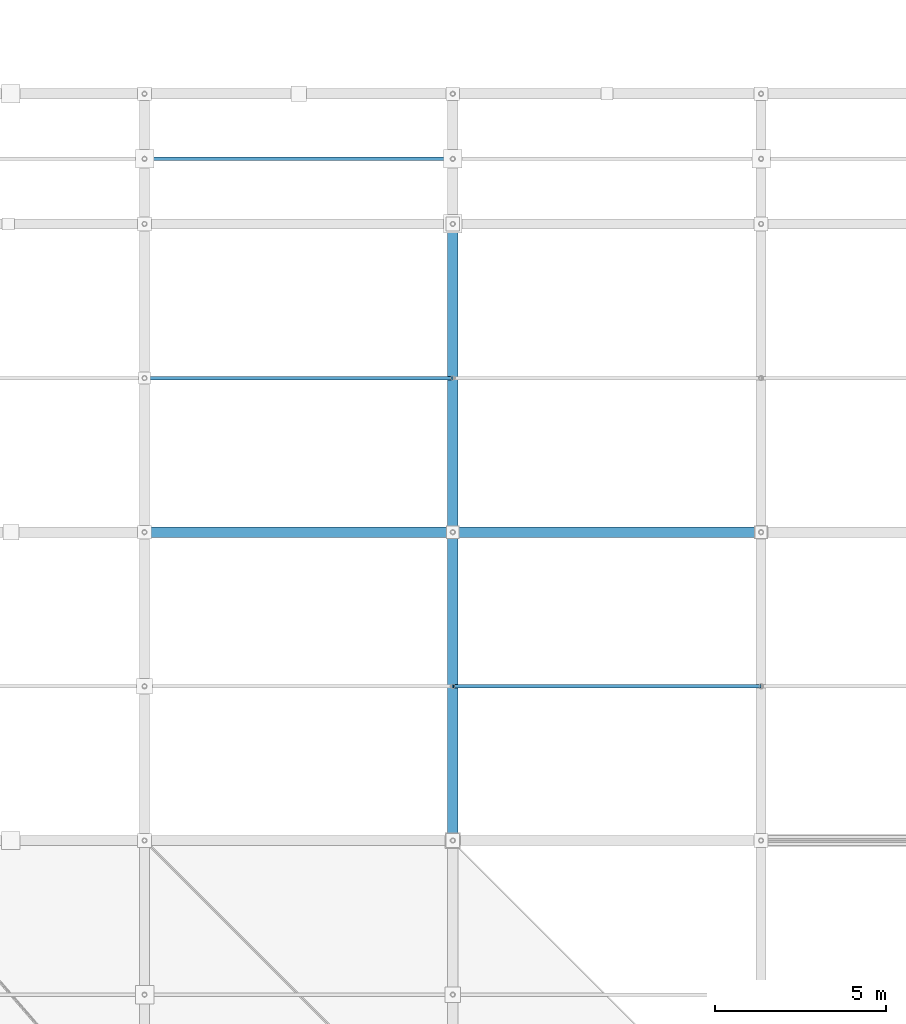
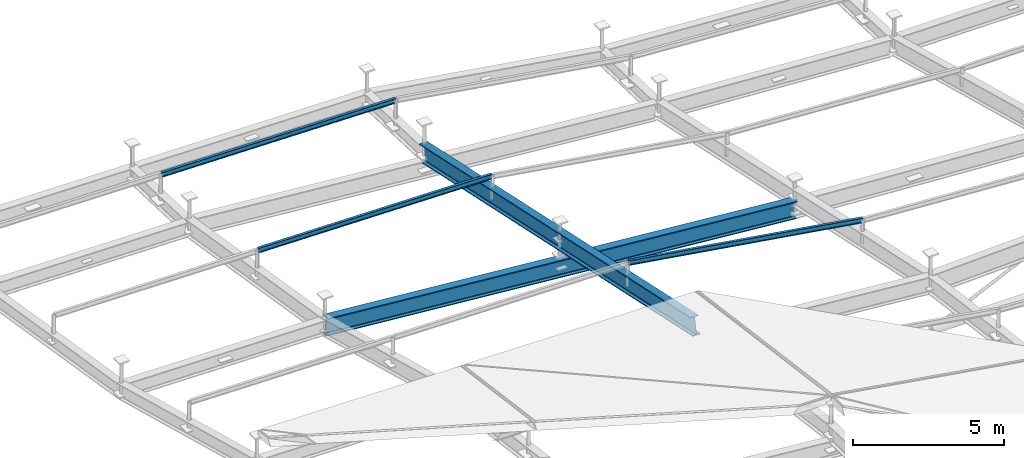
# One storey, part 33 of 80: 3 members, 2 beams.
"""IFC4 building model written with IfcOpenShell, lengths in metres."""

from ifc_helpers import new_model, si_unit, direction, frame, origin, origin_2d, place, context, subcontext, project, spatial, i_section, extrude, material, material_profile, profile_set, type_object, element, save


model = new_model("IFC4")

# Units and contexts
model_context = context("Model", 3, precision=1e-05, world=origin(), true_north=direction((0.0, 1.0)))
body_context = subcontext(model_context, "Body", "Model", "MODEL_VIEW")
ifc_project = project(units=[si_unit("LENGTHUNIT", "METRE"), si_unit("AREAUNIT", "SQUARE_METRE"), si_unit("VOLUMEUNIT", "CUBIC_METRE"), si_unit("PLANEANGLEUNIT", "RADIAN"), si_unit("MASSUNIT", "GRAM", prefix="KILO")], contexts=[model_context])

# Site, building, storey
site_placement = place(None, origin())
site = spatial("IfcSite", under=ifc_project, at=site_placement, CompositionType="ELEMENT")
building_placement = place(site_placement, origin())
building = spatial("IfcBuilding", under=site, at=building_placement, Name="Barlavento Convention Centre", CompositionType="ELEMENT")
storey_placement = place(building_placement, frame((0.0, 0.0, 29.800048828125)))
storey = spatial("IfcBuildingStorey", under=building, at=storey_placement, Name="RF", CompositionType="ELEMENT", Elevation=29.800048828125)

# Beams
ifc_material_1 = material(Name="Steel S460", Category="steel")
ifc_material_profile_1 = material_profile(ifc_material_1, i_section(OverallWidth=0.300048828125, OverallDepth=0.699951171875, WebThickness=0.01708984375, FlangeThickness=0.031982421875, FilletRadius=0.027099609375, at=origin_2d()), Name="HEB 700")
ifc_profile_set_1 = profile_set([ifc_material_profile_1], Name="Steel S460")
beam_type = type_object("IfcBeamType", Name="STR-BM-TRUSS-TOP-HEB700", PredefinedType="BEAM", material=ifc_profile_set_1)
beam_1_placement = place(storey_placement, frame((0.0048828125, 45.0, -3.313232421875), z_axis=(0.996341025885, 0.0, -0.085466719474), x_axis=(0.0, 1.0, 0.0)))
element("IfcBeam", 1, at=beam_1_placement, inside=storey, type_object=beam_type, Name="Congress roof truss space frame chord", PredefinedType="BEAM", context=body_context, shape_type="SweptSolid", body=[
    extrude(i_section(OverallWidth=0.300048828125, OverallDepth=0.699951171875, WebThickness=0.01708984375, FlangeThickness=0.031982421875, FilletRadius=0.027099609375, at=origin_2d()), origin(), (0.0, 0.0, 1.0), 18.056396484375),
])
beam_2_placement = place(storey_placement, frame((9.0, 36.0048828125, -1.029541015625), z_axis=(0.0, 0.977579764601, -0.210565438385), x_axis=(-1.0, 0.0, 0.0)))
element("IfcBeam", 2, at=beam_2_placement, inside=storey, type_object=beam_type, Name="Congress roof truss space frame chord", PredefinedType="BEAM", context=body_context, shape_type="SweptSolid", body=[
    extrude(i_section(OverallWidth=0.300048828125, OverallDepth=0.699951171875, WebThickness=0.01708984375, FlangeThickness=0.031982421875, FilletRadius=0.027099609375, at=origin_2d()), origin(), (0.0, 0.0, 1.0), 18.40283203125),
])

# Members
ifc_material_2 = material(Name="Steel S355", Category="steel")
ifc_material_profile_2 = material_profile(ifc_material_2, i_section(OverallWidth=0.10009765625, OverallDepth=0.199951171875, WebThickness=0.005615234375, FlangeThickness=0.008544921875, FilletRadius=0.011962890625, at=origin_2d()), Name="IPE 200")
ifc_profile_set_2 = profile_set([ifc_material_profile_2], Name="Steel S355")
member_type = type_object("IfcMemberType", Name="STR-MEM-PUR-IPE200", PredefinedType="PURLIN", material=ifc_profile_set_2)
member_placement = place(storey_placement, frame((9.02001953125, 40.5, -1.2001953125), z_axis=(0.987844670797, 0.0, -0.155444222721), x_axis=(0.0, 1.0, 0.0)))
element("IfcMember", 3, at=member_placement, inside=storey, type_object=member_type, Name="Congress roof intermediate purlin PR01", PredefinedType="PURLIN", context=body_context, shape_type="SweptSolid", body=[
    extrude(i_section(OverallWidth=0.10009765625, OverallDepth=0.199951171875, WebThickness=0.005615234375, FlangeThickness=0.008544921875, FilletRadius=0.011962890625, at=origin_2d()), origin(), (0.0, 0.0, 1.0), 9.0703125),
])
for number, where, z_axis, x_axis, name in (
    (4, (0.02001953125, 49.5, -3.00927734375), (0.999896132052, 0.0, -0.014412671767), (0.0, 1.0, 0.0), "Congress roof intermediate purlin PR01"),
    (5, (0.02001953125, 55.89990234375, -3.822265625), (0.999894159609, 0.0, -0.014548868698), (0.0, 1.0, 0.0), "Congress roof intermediate purlin PR01"),
):
    element("IfcMember", number, at=place(storey_placement, frame(where, z_axis=z_axis, x_axis=x_axis)), inside=storey, type_object=member_type, Name=name, PredefinedType="PURLIN", context=body_context, shape_type="SweptSolid", body=[
        extrude(i_section(OverallWidth=0.10009765625, OverallDepth=0.199951171875, WebThickness=0.005615234375, FlangeThickness=0.008544921875, FilletRadius=0.011962890625, at=origin_2d()), origin(), (0.0, 0.0, 1.0), 8.9609375),
    ])

save(model, "model.ifc")
